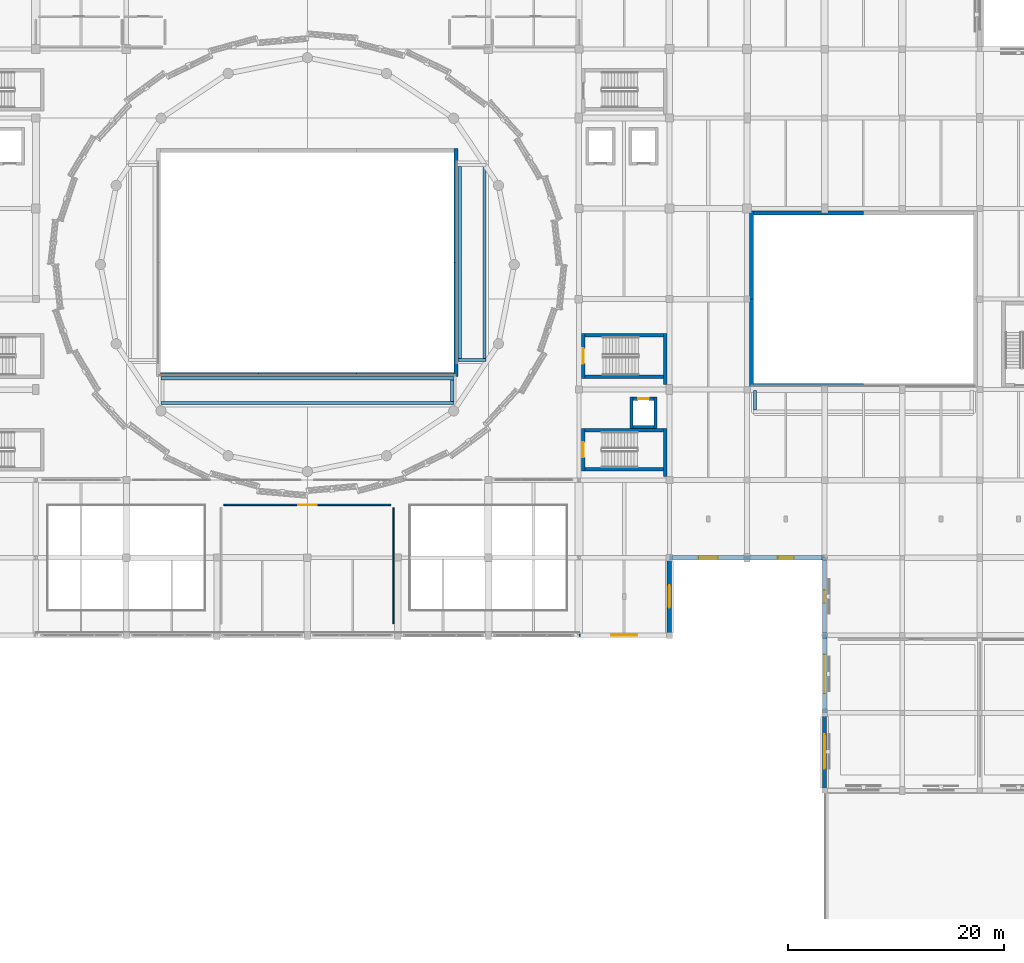
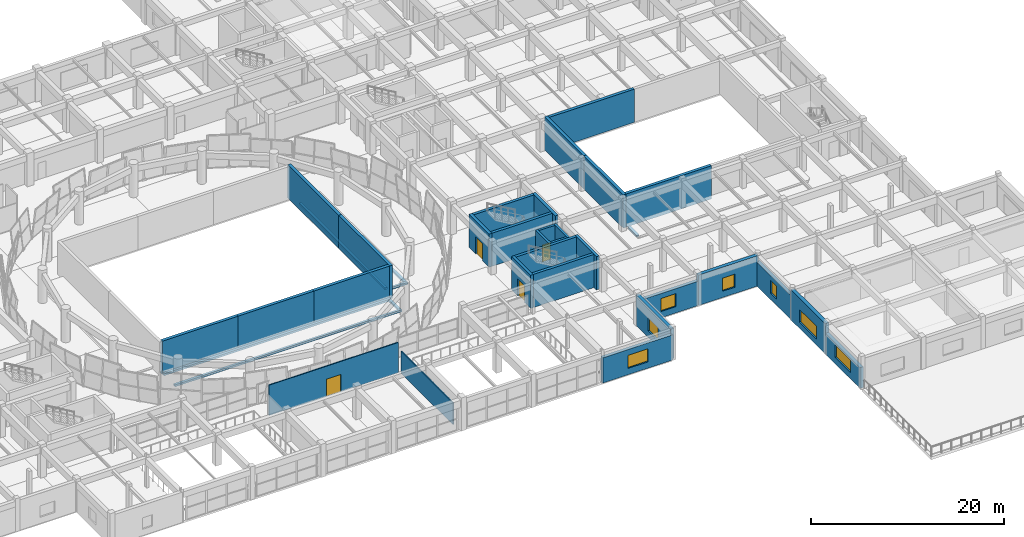
# One storey, part 48 of 71: 37 walls, 7 windows, 4 doors, 11 openings.
"""IFC4 building model written with IfcOpenShell, lengths in metres."""

from ifc_helpers import new_model, si_unit, direction, frame, frame_2d, origin, place, context, subcontext, project, spatial, rectangle, extrude, material, layer, layer_set, type_object, element, fill, save


model = new_model("IFC4")

# Units and contexts
model_context = context("Model", 3, precision=1e-05, world=origin(), true_north=direction((0.0, 1.0)))
body_context = subcontext(model_context, "Body", "Model", "MODEL_VIEW")
ifc_project = project(units=[si_unit("LENGTHUNIT", "METRE"), si_unit("AREAUNIT", "SQUARE_METRE"), si_unit("VOLUMEUNIT", "CUBIC_METRE"), si_unit("PLANEANGLEUNIT", "RADIAN"), si_unit("MASSUNIT", "GRAM", prefix="KILO")], contexts=[model_context])

# Site, building, storey
site_placement = place(None, origin())
site = spatial("IfcSite", under=ifc_project, at=site_placement, CompositionType="ELEMENT")
building_placement = place(site_placement, origin())
building = spatial("IfcBuilding", under=site, at=building_placement, Name="Korsvaeld Concert Hall", CompositionType="ELEMENT")
storey_placement = place(building_placement, frame((0.0, 0.0, 4.800048828125)))
storey = spatial("IfcBuildingStorey", under=building, at=storey_placement, Name="L01", CompositionType="ELEMENT", Elevation=4.800048828125)

# Walls
ifc_material_1 = material(Name="Concrete C40/50", Category="concrete")
ifc_layer_1 = layer(ifc_material_1, 0.340087890625)
ifc_layer_set_1 = layer_set([ifc_layer_1], Name="Concrete C40/50")
wall_type_1 = type_object("IfcWallType", Name="WL-CORE-340", PredefinedType="SHEAR", material=ifc_layer_set_1)
wall_1_placement = place(storey_placement, frame((109.77001953125, 44.199951171875, 0.0), z_axis=(0.0, 0.0, 1.0), x_axis=(1.0, 0.0, 0.0)))
element("IfcWall", 1, at=wall_1_placement, inside=storey, type_object=wall_type_1, Name="Core K4 shear wall L01 S", PredefinedType="SHEAR", context=body_context, shape_type="SweptSolid", body=[
    extrude(rectangle(XDim=7.260009765625, YDim=0.340087890625, at=frame_2d((3.6298828125, 0.0))), origin(), (0.0, 0.0, 1.0), 4.199951171875),
])
wall_2_placement = place(storey_placement, frame((117.199951171875, 43.52490234375, 0.0), z_axis=(0.0, 0.0, 1.0), x_axis=(0.0, 1.0, 0.0)))
element("IfcWall", 2, at=wall_2_placement, inside=storey, type_object=wall_type_1, Name="Core K4 shear wall L01 E", PredefinedType="SHEAR", context=body_context, shape_type="SweptSolid", body=[
    extrude(rectangle(XDim=4.485107421875, YDim=0.340087890625, at=frame_2d((2.24267578125, 0.0))), origin(), (0.0, 0.0, 1.0), 4.199951171875),
])
wall_3_placement = place(storey_placement, frame((117.030029296875, 47.840087890625, 0.0), z_axis=(0.0, 0.0, 1.0), x_axis=(-1.0, 0.0, 0.0)))
element("IfcWall", 3, at=wall_3_placement, inside=storey, type_object=wall_type_1, Name="Core K4 shear wall L01 N", PredefinedType="SHEAR", context=body_context, shape_type="SweptSolid", body=[
    extrude(rectangle(XDim=7.260009765625, YDim=0.340087890625, at=frame_2d((3.6298828125, 0.0))), origin(), (0.0, 0.0, 1.0), 4.199951171875),
])

# Wall, opening, door
wall_4_placement = place(storey_placement, frame((109.60009765625, 48.010009765625, 0.0), z_axis=(0.0, 0.0, 1.0), x_axis=(0.0, -1.0, 0.0)))
wall_4 = element("IfcWall", 4, at=wall_4_placement, inside=storey, type_object=wall_type_1, Name="Core K4 shear wall L01 W", PredefinedType="SHEAR", context=body_context, shape_type="SweptSolid", body=[
    extrude(rectangle(XDim=3.97998046875, YDim=0.340087890625, at=frame_2d((1.989990234375, 0.0))), origin(), (0.0, 0.0, 1.0), 4.199951171875),
])
opening_1_placement = place(wall_4_placement, frame((1.2900390625, 0.0, 0.0)))
opening_1 = element("IfcOpeningElement", 5, at=opening_1_placement, cuts=wall_4, Name="Opening FD-02", PredefinedType="OPENING", context=body_context, shape_type="SweptSolid", body=[
    extrude(rectangle(XDim=1.39990234375, YDim=2.14990234375, at=frame_2d((0.699951171875, 1.074951171875))), frame((0.0, 0.18017578125, 0.0), z_axis=(0.0, -1.0, 0.0), x_axis=(1.0, 0.0, 0.0)), (0.0, 0.0, 1.0), 0.360107421875),
])
ifc_material_2 = material(Name="Acoustic steel and oak fire door", Category="steel")
door_type_1 = type_object("IfcDoorType", Name="DR-FD-STAIR-140x215", OperationType="NOTDEFINED", PredefinedType="DOOR", material=ifc_material_2)
door_1_placement = place(opening_1_placement, origin())
door_1 = element("IfcDoor", 6, at=door_1_placement, inside=storey, type_object=door_type_1, Name="Escape stair ST-K4 fire door L01", OperationType="SINGLE_SWING_RIGHT", OverallHeight=2.14990234375, OverallWidth=1.39990234375, PredefinedType="DOOR", context=body_context, shape_type="SweptSolid", body=[
    extrude(rectangle(XDim=1.39990234375, YDim=2.14990234375, at=frame_2d((0.699951171875, 1.074951171875))), frame((0.0, 0.02490234375, 0.0), z_axis=(0.0, -1.0, 0.0), x_axis=(1.0, 0.0, 0.0)), (0.0, 0.0, 1.0), 0.050048828125),
])
fill(opening_1, door_1)

# Walls
wall_5_placement = place(storey_placement, frame((109.77001953125, 52.800048828125, 0.0), z_axis=(0.0, 0.0, 1.0), x_axis=(1.0, 0.0, 0.0)))
element("IfcWall", 7, at=wall_5_placement, inside=storey, type_object=wall_type_1, Name="Core F2 shear wall L01 S", PredefinedType="SHEAR", context=body_context, shape_type="SweptSolid", body=[
    extrude(rectangle(XDim=7.260009765625, YDim=0.340087890625, at=frame_2d((3.6298828125, 0.0))), origin(), (0.0, 0.0, 1.0), 4.199951171875),
])
wall_6_placement = place(storey_placement, frame((117.199951171875, 52.050048828125, 0.0), z_axis=(0.0, 0.0, 1.0), x_axis=(0.0, 1.0, 0.0)))
element("IfcWall", 8, at=wall_6_placement, inside=storey, type_object=wall_type_1, Name="Core F2 shear wall L01 E", PredefinedType="SHEAR", context=body_context, shape_type="SweptSolid", body=[
    extrude(rectangle(XDim=4.760009765625, YDim=0.340087890625, at=frame_2d((2.3798828125, 0.0))), origin(), (0.0, 0.0, 1.0), 4.199951171875),
])
wall_7_placement = place(storey_placement, frame((117.030029296875, 56.639892578125, 0.0), z_axis=(0.0, 0.0, 1.0), x_axis=(-1.0, 0.0, 0.0)))
element("IfcWall", 9, at=wall_7_placement, inside=storey, type_object=wall_type_1, Name="Core F2 shear wall L01 N", PredefinedType="SHEAR", context=body_context, shape_type="SweptSolid", body=[
    extrude(rectangle(XDim=7.260009765625, YDim=0.340087890625, at=frame_2d((3.6298828125, 0.0))), origin(), (0.0, 0.0, 1.0), 4.199951171875),
])

# Wall, opening, door
wall_8_placement = place(storey_placement, frame((109.60009765625, 56.81005859375, 0.0), z_axis=(0.0, 0.0, 1.0), x_axis=(0.0, -1.0, 0.0)))
wall_8 = element("IfcWall", 10, at=wall_8_placement, inside=storey, type_object=wall_type_1, Name="Core F2 shear wall L01 W", PredefinedType="SHEAR", context=body_context, shape_type="SweptSolid", body=[
    extrude(rectangle(XDim=4.18017578125, YDim=0.340087890625, at=frame_2d((2.090087890625, 0.0))), origin(), (0.0, 0.0, 1.0), 4.199951171875),
])
opening_2_placement = place(wall_8_placement, frame((1.389892578125, 0.0, 0.0)))
opening_2 = element("IfcOpeningElement", 11, at=opening_2_placement, cuts=wall_8, Name="Opening FD-02", PredefinedType="OPENING", context=body_context, shape_type="SweptSolid", body=[
    extrude(rectangle(XDim=1.39990234375, YDim=2.14990234375, at=frame_2d((0.699951171875, 1.074951171875))), frame((0.0, 0.18017578125, 0.0), z_axis=(0.0, -1.0, 0.0), x_axis=(1.0, 0.0, 0.0)), (0.0, 0.0, 1.0), 0.360107421875),
])
door_2_placement = place(opening_2_placement, origin())
door_2 = element("IfcDoor", 12, at=door_2_placement, inside=storey, type_object=door_type_1, Name="Escape stair ST-F2 fire door L01", OperationType="SINGLE_SWING_LEFT", OverallHeight=2.14990234375, OverallWidth=1.39990234375, PredefinedType="DOOR", context=body_context, shape_type="SweptSolid", body=[
    extrude(rectangle(XDim=1.39990234375, YDim=2.14990234375, at=frame_2d((0.699951171875, 1.074951171875))), frame((0.0, 0.02490234375, 0.0), z_axis=(0.0, -1.0, 0.0), x_axis=(1.0, 0.0, 0.0)), (0.0, 0.0, 1.0), 0.050048828125),
])
fill(opening_2, door_2)

# Wall, opening, window
ifc_material_3 = material(Name="Obernkirchener buff sandstone rainscreen on Concrete C35/45", Category="masonry")
ifc_layer_2 = layer(ifc_material_3, 0.389892578125)
ifc_layer_set_2 = layer_set([ifc_layer_2], Name="Obernkirchener buff sandstone rainscreen on Concrete C35/45")
wall_type_2 = type_object("IfcWallType", Name="WL-EXT-BUFF-390", PredefinedType="STANDARD", material=ifc_layer_set_2)
wall_9_placement = place(storey_placement, frame((132.0, 14.39990234375, 0.0), z_axis=(0.0, 0.0, 1.0), x_axis=(0.0, 1.0, 0.0)))
wall_9 = element("IfcWall", 13, at=wall_9_placement, inside=storey, type_object=wall_type_2, Name="Exterior sandstone wall L01-191", PredefinedType="STANDARD", context=body_context, shape_type="SweptSolid", body=[
    extrude(rectangle(XDim=7.2001953125, YDim=0.389892578125, at=frame_2d((3.60009765625, 0.0))), origin(), (0.0, 0.0, 1.0), 2.639892578125),
])
opening_3_placement = place(wall_9_placement, frame((2.0, 0.0, 0.800048828125)))
opening_3 = element("IfcOpeningElement", 14, at=opening_3_placement, cuts=wall_9, Name="Opening WN-15", PredefinedType="OPENING", context=body_context, shape_type="SweptSolid", body=[
    extrude(rectangle(XDim=3.199951171875, YDim=1.60009765625, at=frame_2d((1.60009765625, 0.800048828125))), frame((0.0, 0.205078125, 0.0), z_axis=(0.0, -1.0, 0.0), x_axis=(1.0, 0.0, 0.0)), (0.0, 0.0, 1.0), 0.409912109375),
])
ifc_material_4 = material(Name="Anodised bronze frame with acoustic triple glazing", Category="glass")
window_type_1 = type_object("IfcWindowType", Name="WIN-AC-320x160", PartitioningType="TRIPLE_PANEL_VERTICAL", PredefinedType="WINDOW", material=ifc_material_4)
window_1_placement = place(opening_3_placement, origin())
window_1 = element("IfcWindow", 15, at=window_1_placement, inside=storey, type_object=window_type_1, Name="Acoustic triple-glazed window L01-099", OverallHeight=1.60009765625, OverallWidth=3.199951171875, PartitioningType="TRIPLE_PANEL_VERTICAL", PredefinedType="WINDOW", context=body_context, shape_type="SweptSolid", body=[
    extrude(rectangle(XDim=3.199951171875, YDim=1.60009765625, at=frame_2d((1.60009765625, 0.800048828125))), frame((0.0, 0.030029296875, 0.0), z_axis=(0.0, -1.0, 0.0), x_axis=(1.0, 0.0, 0.0)), (0.0, 0.0, 1.0), 0.06005859375),
])
fill(opening_3, window_1)

wall_10_placement = place(storey_placement, frame((132.0, 28.800048828125, 0.0), z_axis=(0.0, 0.0, 1.0), x_axis=(0.0, 1.0, 0.0)))
wall_10 = element("IfcWall", 16, at=wall_10_placement, inside=storey, type_object=wall_type_2, Name="Exterior sandstone wall L01-193", PredefinedType="STANDARD", context=body_context, shape_type="SweptSolid", body=[
    extrude(rectangle(XDim=7.199951171875, YDim=0.389892578125, at=frame_2d((3.60009765625, 0.0))), origin(), (0.0, 0.0, 1.0), 3.0400390625),
])
opening_4_placement = place(wall_10_placement, frame((3.0, 0.0, 0.800048828125)))
opening_4 = element("IfcOpeningElement", 17, at=opening_4_placement, cuts=wall_10, Name="Opening WN-01", PredefinedType="OPENING", context=body_context, shape_type="SweptSolid", body=[
    extrude(rectangle(XDim=1.199951171875, YDim=1.64990234375, at=frame_2d((0.60009765625, 0.824951171875))), frame((0.0, 0.205078125, 0.0), z_axis=(0.0, -1.0, 0.0), x_axis=(1.0, 0.0, 0.0)), (0.0, 0.0, 1.0), 0.409912109375),
])
window_type_2 = type_object("IfcWindowType", Name="WIN-AC-120x165", PartitioningType="SINGLE_PANEL", PredefinedType="WINDOW", material=ifc_material_4)
window_2_placement = place(opening_4_placement, origin())
window_2 = element("IfcWindow", 18, at=window_2_placement, inside=storey, type_object=window_type_2, Name="Acoustic triple-glazed window L01-101", OverallHeight=1.64990234375, OverallWidth=1.199951171875, PartitioningType="SINGLE_PANEL", PredefinedType="WINDOW", context=body_context, shape_type="SweptSolid", body=[
    extrude(rectangle(XDim=1.199951171875, YDim=1.64990234375, at=frame_2d((0.60009765625, 0.824951171875))), frame((0.0, 0.030029296875, 0.0), z_axis=(0.0, -1.0, 0.0), x_axis=(1.0, 0.0, 0.0)), (0.0, 0.0, 1.0), 0.06005859375),
])
fill(opening_4, window_2)

wall_11_placement = place(storey_placement, frame((124.800048828125, 36.0, 0.0), z_axis=(0.0, 0.0, 1.0), x_axis=(-1.0, 0.0, 0.0)))
wall_11 = element("IfcWall", 19, at=wall_11_placement, inside=storey, type_object=wall_type_2, Name="Exterior sandstone wall L01-195", PredefinedType="STANDARD", context=body_context, shape_type="SweptSolid", body=[
    extrude(rectangle(XDim=7.199951171875, YDim=0.389892578125, at=frame_2d((3.60009765625, 0.0))), origin(), (0.0, 0.0, 1.0), 3.08984375),
])
opening_5_placement = place(wall_11_placement, frame((2.699951171875, 0.0, 0.800048828125)))
opening_5 = element("IfcOpeningElement", 20, at=opening_5_placement, cuts=wall_11, Name="Opening WN-03", PredefinedType="OPENING", context=body_context, shape_type="SweptSolid", body=[
    extrude(rectangle(XDim=1.800048828125, YDim=1.64990234375, at=frame_2d((0.89990234375, 0.824951171875))), frame((0.0, 0.205078125, 0.0), z_axis=(0.0, -1.0, 0.0), x_axis=(1.0, 0.0, 0.0)), (0.0, 0.0, 1.0), 0.409912109375),
])
window_type_3 = type_object("IfcWindowType", Name="WIN-AC-180x165", PartitioningType="SINGLE_PANEL", PredefinedType="WINDOW", material=ifc_material_4)
window_3_placement = place(opening_5_placement, origin())
window_3 = element("IfcWindow", 21, at=window_3_placement, inside=storey, type_object=window_type_3, Name="Acoustic triple-glazed window L01-103", OverallHeight=1.64990234375, OverallWidth=1.800048828125, PartitioningType="SINGLE_PANEL", PredefinedType="WINDOW", context=body_context, shape_type="SweptSolid", body=[
    extrude(rectangle(XDim=1.800048828125, YDim=1.64990234375, at=frame_2d((0.89990234375, 0.824951171875))), frame((0.0, 0.030029296875, 0.0), z_axis=(0.0, -1.0, 0.0), x_axis=(1.0, 0.0, 0.0)), (0.0, 0.0, 1.0), 0.06005859375),
])
fill(opening_5, window_3)

wall_12_placement = place(storey_placement, frame((117.60009765625, 28.800048828125, 0.0), z_axis=(0.0, 0.0, 1.0), x_axis=(-1.0, 0.0, 0.0)))
wall_12 = element("IfcWall", 22, at=wall_12_placement, inside=storey, type_object=wall_type_2, Name="Exterior sandstone wall L01-197", PredefinedType="STANDARD", context=body_context, shape_type="SweptSolid", body=[
    extrude(rectangle(XDim=8.400146484375, YDim=0.389892578125, at=frame_2d((4.2001953125, 0.0))), origin(), (0.0, 0.0, 1.0), 3.18994140625),
])
opening_6_placement = place(wall_12_placement, frame((3.0, 0.0, 0.800048828125)))
opening_6 = element("IfcOpeningElement", 23, at=opening_6_placement, cuts=wall_12, Name="Opening WN-05", PredefinedType="OPENING", context=body_context, shape_type="SweptSolid", body=[
    extrude(rectangle(XDim=2.39990234375, YDim=1.64990234375, at=frame_2d((1.199951171875, 0.824951171875))), frame((0.0, 0.205078125, 0.0), z_axis=(0.0, -1.0, 0.0), x_axis=(1.0, 0.0, 0.0)), (0.0, 0.0, 1.0), 0.409912109375),
])
window_type_4 = type_object("IfcWindowType", Name="WIN-AC-240x165", PartitioningType="TRIPLE_PANEL_VERTICAL", PredefinedType="WINDOW", material=ifc_material_4)
window_4_placement = place(opening_6_placement, origin())
window_4 = element("IfcWindow", 24, at=window_4_placement, inside=storey, type_object=window_type_4, Name="Acoustic triple-glazed window L01-105", OverallHeight=1.64990234375, OverallWidth=2.39990234375, PartitioningType="TRIPLE_PANEL_VERTICAL", PredefinedType="WINDOW", context=body_context, shape_type="SweptSolid", body=[
    extrude(rectangle(XDim=2.39990234375, YDim=1.64990234375, at=frame_2d((1.199951171875, 0.824951171875))), frame((0.0, 0.030029296875, 0.0), z_axis=(0.0, -1.0, 0.0), x_axis=(1.0, 0.0, 0.0)), (0.0, 0.0, 1.0), 0.06005859375),
])
fill(opening_6, window_4)

ifc_material_5 = material(Name="Bornholm Nexo rose-red sandstone rainscreen on Concrete C35/45", Category="masonry")
ifc_layer_3 = layer(ifc_material_5, 0.419921875)
ifc_layer_set_3 = layer_set([ifc_layer_3], Name="Bornholm Nexo rose-red sandstone rainscreen on Concrete C35/45")
wall_type_3 = type_object("IfcWallType", Name="WL-EXT-NEXO-420", PredefinedType="STANDARD", material=ifc_layer_set_3)
wall_13_placement = place(storey_placement, frame((132.0, 21.60009765625, 0.0), z_axis=(0.0, 0.0, 1.0), x_axis=(0.0, 1.0, 0.0)))
wall_13 = element("IfcWall", 25, at=wall_13_placement, inside=storey, type_object=wall_type_3, Name="Exterior sandstone wall L01-192", PredefinedType="STANDARD", context=body_context, shape_type="SweptSolid", body=[
    extrude(rectangle(XDim=7.199951171875, YDim=0.419921875, at=frame_2d((3.60009765625, 0.0))), origin(), (0.0, 0.0, 1.0), 3.83984375),
])
opening_7_placement = place(wall_13_placement, frame((1.800048828125, 0.0, 0.800048828125)))
opening_7 = element("IfcOpeningElement", 26, at=opening_7_placement, cuts=wall_13, Name="Opening WN-16", PredefinedType="OPENING", context=body_context, shape_type="SweptSolid", body=[
    extrude(rectangle(XDim=3.60009765625, YDim=1.60009765625, at=frame_2d((1.800048828125, 0.800048828125))), frame((0.0, 0.219970703125, 0.0), z_axis=(0.0, -1.0, 0.0), x_axis=(1.0, 0.0, 0.0)), (0.0, 0.0, 1.0), 0.43994140625),
])
window_type_5 = type_object("IfcWindowType", Name="WIN-AC-360x160", PartitioningType="TRIPLE_PANEL_VERTICAL", PredefinedType="WINDOW", material=ifc_material_4)
window_5_placement = place(opening_7_placement, origin())
window_5 = element("IfcWindow", 27, at=window_5_placement, inside=storey, type_object=window_type_5, Name="Acoustic triple-glazed window L01-100", OverallHeight=1.60009765625, OverallWidth=3.60009765625, PartitioningType="TRIPLE_PANEL_VERTICAL", PredefinedType="WINDOW", context=body_context, shape_type="SweptSolid", body=[
    extrude(rectangle(XDim=3.60009765625, YDim=1.60009765625, at=frame_2d((1.800048828125, 0.800048828125))), frame((0.0, 0.030029296875, 0.0), z_axis=(0.0, -1.0, 0.0), x_axis=(1.0, 0.0, 0.0)), (0.0, 0.0, 1.0), 0.06005859375),
])
fill(opening_7, window_5)

wall_14_placement = place(storey_placement, frame((132.0, 36.0, 0.0), z_axis=(0.0, 0.0, 1.0), x_axis=(-1.0, 0.0, 0.0)))
wall_14 = element("IfcWall", 28, at=wall_14_placement, inside=storey, type_object=wall_type_3, Name="Exterior sandstone wall L01-194", PredefinedType="STANDARD", context=body_context, shape_type="SweptSolid", body=[
    extrude(rectangle(XDim=7.199951171875, YDim=0.419921875, at=frame_2d((3.60009765625, 0.0))), origin(), (0.0, 0.0, 1.0), 3.83984375),
])
opening_8_placement = place(wall_14_placement, frame((2.85009765625, 0.0, 0.800048828125)))
opening_8 = element("IfcOpeningElement", 29, at=opening_8_placement, cuts=wall_14, Name="Opening WN-02", PredefinedType="OPENING", context=body_context, shape_type="SweptSolid", body=[
    extrude(rectangle(XDim=1.5, YDim=1.64990234375, at=frame_2d((0.75, 0.824951171875))), frame((0.0, 0.219970703125, 0.0), z_axis=(0.0, -1.0, 0.0), x_axis=(1.0, 0.0, 0.0)), (0.0, 0.0, 1.0), 0.43994140625),
])
window_type_6 = type_object("IfcWindowType", Name="WIN-AC-150x165", PartitioningType="SINGLE_PANEL", PredefinedType="WINDOW", material=ifc_material_4)
window_6_placement = place(opening_8_placement, origin())
window_6 = element("IfcWindow", 30, at=window_6_placement, inside=storey, type_object=window_type_6, Name="Acoustic triple-glazed window L01-102", OverallHeight=1.64990234375, OverallWidth=1.5, PartitioningType="SINGLE_PANEL", PredefinedType="WINDOW", context=body_context, shape_type="SweptSolid", body=[
    extrude(rectangle(XDim=1.5, YDim=1.64990234375, at=frame_2d((0.75, 0.824951171875))), frame((0.0, 0.030029296875, 0.0), z_axis=(0.0, -1.0, 0.0), x_axis=(1.0, 0.0, 0.0)), (0.0, 0.0, 1.0), 0.06005859375),
])
fill(opening_8, window_6)

wall_15_placement = place(storey_placement, frame((117.60009765625, 36.0, 0.0), z_axis=(0.0, 0.0, 1.0), x_axis=(0.0, -1.0, 0.0)))
wall_15 = element("IfcWall", 31, at=wall_15_placement, inside=storey, type_object=wall_type_3, Name="Exterior sandstone wall L01-196", PredefinedType="STANDARD", context=body_context, shape_type="SweptSolid", body=[
    extrude(rectangle(XDim=7.199951171875, YDim=0.419921875, at=frame_2d((3.60009765625, 0.0))), origin(), (0.0, 0.0, 1.0), 3.83984375),
])
opening_9_placement = place(wall_15_placement, frame((2.550048828125, 0.0, 0.800048828125)))
opening_9 = element("IfcOpeningElement", 32, at=opening_9_placement, cuts=wall_15, Name="Opening WN-04", PredefinedType="OPENING", context=body_context, shape_type="SweptSolid", body=[
    extrude(rectangle(XDim=2.10009765625, YDim=1.64990234375, at=frame_2d((1.050048828125, 0.824951171875))), frame((0.0, 0.219970703125, 0.0), z_axis=(0.0, -1.0, 0.0), x_axis=(1.0, 0.0, 0.0)), (0.0, 0.0, 1.0), 0.43994140625),
])
window_type_7 = type_object("IfcWindowType", Name="WIN-AC-210x165", PartitioningType="SINGLE_PANEL", PredefinedType="WINDOW", material=ifc_material_4)
window_7_placement = place(opening_9_placement, origin())
window_7 = element("IfcWindow", 33, at=window_7_placement, inside=storey, type_object=window_type_7, Name="Acoustic triple-glazed window L01-104", OverallHeight=1.64990234375, OverallWidth=2.10009765625, PartitioningType="SINGLE_PANEL", PredefinedType="WINDOW", context=body_context, shape_type="SweptSolid", body=[
    extrude(rectangle(XDim=2.10009765625, YDim=1.64990234375, at=frame_2d((1.050048828125, 0.824951171875))), frame((0.0, 0.030029296875, 0.0), z_axis=(0.0, -1.0, 0.0), x_axis=(1.0, 0.0, 0.0)), (0.0, 0.0, 1.0), 0.06005859375),
])
fill(opening_9, window_7)

# Walls
ifc_material_6 = material(Name="Bornholm Nexo crimson sandstone on Concrete C40/50", Category="masonry")
ifc_layer_4 = layer(ifc_material_6, 0.360107421875)
ifc_layer_set_4 = layer_set([ifc_layer_4], Name="Bornholm Nexo crimson sandstone on Concrete C40/50")
wall_type_4 = type_object("IfcWallType", Name="WL-HALL-360", PredefinedType="SHEAR", material=ifc_layer_set_4)
for number, where, z_axis, x_axis, name in (
    (34, (70.3798828125, 53.0, 0.0), (0.0, 0.0, 1.0), (1.0, 0.0, 0.0), "Acoustic hall box wall V1H L01 S.1"),
    (35, (79.4599609375, 53.0, 0.0), (0.0, 0.0, 1.0), (1.0, 0.0, 0.0), "Acoustic hall box wall V1H L01 S.2"),
    (36, (88.5400390625, 53.0, 0.0), (0.0, 0.0, 1.0), (1.0, 0.0, 0.0), "Acoustic hall box wall V1H L01 S.3"),
):
    element("IfcWall", number, at=place(storey_placement, frame(where, z_axis=z_axis, x_axis=x_axis)), inside=storey, type_object=wall_type_4, Name=name, PredefinedType="SHEAR", context=body_context, shape_type="SweptSolid", body=[
        extrude(rectangle(XDim=9.080078125, YDim=0.360107421875, at=frame_2d((4.5400390625, 0.0))), origin(), (0.0, 0.0, 1.0), 4.199951171875),
    ])
wall_16_placement = place(storey_placement, frame((97.800048828125, 52.820068359375, 0.0), z_axis=(0.0, 0.0, 1.0), x_axis=(0.0, 1.0, 0.0)))
element("IfcWall", 37, at=wall_16_placement, inside=storey, type_object=wall_type_4, Name="Acoustic hall box wall V1H L01 E.1", PredefinedType="SHEAR", context=body_context, shape_type="SweptSolid", body=[
    extrude(rectangle(XDim=10.579833984375, YDim=0.360107421875, at=frame_2d((5.2900390625, 0.0))), origin(), (0.0, 0.0, 1.0), 4.199951171875),
])
wall_17_placement = place(storey_placement, frame((97.800048828125, 63.39990234375, 0.0), z_axis=(0.0, 0.0, 1.0), x_axis=(0.0, 1.0, 0.0)))
element("IfcWall", 38, at=wall_17_placement, inside=storey, type_object=wall_type_4, Name="Acoustic hall box wall V1H L01 E.2", PredefinedType="SHEAR", context=body_context, shape_type="SweptSolid", body=[
    extrude(rectangle(XDim=10.580078125, YDim=0.360107421875, at=frame_2d((5.2900390625, 0.0))), origin(), (0.0, 0.0, 1.0), 4.199951171875),
])
for number, where, z_axis, x_axis, name in (
    (39, (125.3798828125, 52.0, 0.0), (0.0, 0.0, 1.0), (1.0, 0.0, 0.0), "Acoustic hall box wall V2H L01 S.1"),
    (40, (135.60009765625, 68.0, 0.0), (0.0, 0.0, 1.0), (-1.0, 0.0, 0.0), "Acoustic hall box wall V2H L01 N.2"),
):
    element("IfcWall", number, at=place(storey_placement, frame(where, z_axis=z_axis, x_axis=x_axis)), inside=storey, type_object=wall_type_4, Name=name, PredefinedType="SHEAR", context=body_context, shape_type="SweptSolid", body=[
        extrude(rectangle(XDim=10.22021484375, YDim=0.360107421875, at=frame_2d((5.110107421875, 0.0))), origin(), (0.0, 0.0, 1.0), 4.199951171875),
    ])
for number, where, z_axis, x_axis, name in (
    (41, (125.199951171875, 68.179931640625, 0.0), (0.0, 0.0, 1.0), (0.0, -1.0, 0.0), "Acoustic hall box wall V2H L01 W.1"),
    (42, (125.199951171875, 60.0, 0.0), (0.0, 0.0, 1.0), (0.0, -1.0, 0.0), "Acoustic hall box wall V2H L01 W.2"),
):
    element("IfcWall", number, at=place(storey_placement, frame(where, z_axis=z_axis, x_axis=x_axis)), inside=storey, type_object=wall_type_4, Name=name, PredefinedType="SHEAR", context=body_context, shape_type="SweptSolid", body=[
        extrude(rectangle(XDim=8.179931640625, YDim=0.360107421875, at=frame_2d((4.08984375, 0.0))), origin(), (0.0, 0.0, 1.0), 4.199951171875),
    ])
ifc_material_7 = material(Name="Insulated acoustic gypsum partition")
ifc_layer_5 = layer(ifc_material_7, 0.125)
ifc_layer_set_5 = layer_set([ifc_layer_5], Name="Insulated acoustic gypsum partition")
wall_type_5 = type_object("IfcWallType", Name="WL-PART-125", PredefinedType="PARTITIONING", material=ifc_layer_set_5)
wall_18_placement = place(storey_placement, frame((92.0, 29.860107421875, 0.0), z_axis=(0.0, 0.0, 1.0), x_axis=(0.0, 1.0, 0.0)))
element("IfcWall", 43, at=wall_18_placement, inside=storey, type_object=wall_type_5, Name="Interior partition L01-04 E", PredefinedType="PARTITIONING", context=body_context, shape_type="SweptSolid", body=[
    extrude(rectangle(XDim=10.77978515625, YDim=0.125, at=frame_2d((5.389892578125, 0.0))), origin(), (0.0, 0.0, 1.0), 2.764892578125),
])

# Wall, opening, door
wall_19_placement = place(storey_placement, frame((91.739990234375, 40.89990234375, 0.0), z_axis=(0.0, 0.0, 1.0), x_axis=(-1.0, 0.0, 0.0)))
wall_19 = element("IfcWall", 44, at=wall_19_placement, inside=storey, type_object=wall_type_5, Name="Interior partition L01-04 N", PredefinedType="PARTITIONING", context=body_context, shape_type="SweptSolid", body=[
    extrude(rectangle(XDim=15.47998046875, YDim=0.125, at=frame_2d((7.739990234375, 0.0))), origin(), (0.0, 0.0, 1.0), 3.83984375),
])
opening_10_placement = place(wall_19_placement, frame((6.889892578125, 0.0, 0.0)))
opening_10 = element("IfcOpeningElement", 45, at=opening_10_placement, cuts=wall_19, Name="Opening ID-06", PredefinedType="OPENING", context=body_context, shape_type="SweptSolid", body=[
    extrude(rectangle(XDim=1.699951171875, YDim=2.199951171875, at=frame_2d((0.85009765625, 1.10009765625))), frame((0.0, 0.072509765625, 0.0), z_axis=(0.0, -1.0, 0.0), x_axis=(1.0, 0.0, 0.0)), (0.0, 0.0, 1.0), 0.14501953125),
])
ifc_material_8 = material(Name="Glazed oak foyer double door")
door_type_2 = type_object("IfcDoorType", Name="DR-INT-DBL-170x220", OperationType="DOUBLE_DOOR_SINGLE_SWING", PredefinedType="DOOR", material=ifc_material_8)
door_3_placement = place(opening_10_placement, origin())
door_3 = element("IfcDoor", 46, at=door_3_placement, inside=storey, type_object=door_type_2, Name="Wintergarden Mezzanine Interval Bar door L01-04", OperationType="DOUBLE_DOOR_SINGLE_SWING", OverallHeight=2.199951171875, OverallWidth=1.699951171875, PredefinedType="DOOR", context=body_context, shape_type="SweptSolid", body=[
    extrude(rectangle(XDim=1.699951171875, YDim=2.199951171875, at=frame_2d((0.85009765625, 1.10009765625))), frame((0.0, 0.02490234375, 0.0), z_axis=(0.0, -1.0, 0.0), x_axis=(1.0, 0.0, 0.0)), (0.0, 0.0, 1.0), 0.050048828125),
])
fill(opening_10, door_3)

# Walls
ifc_layer_6 = layer(ifc_material_1, 0.280029296875)
ifc_layer_set_6 = layer_set([ifc_layer_6], Name="Concrete C40/50")
wall_type_6 = type_object("IfcWallType", Name="WL-SHAFT-280", PredefinedType="SHEAR", material=ifc_layer_set_6)
wall_20_placement = place(storey_placement, frame((114.239990234375, 48.14990234375, 0.0), z_axis=(0.0, 0.0, 1.0), x_axis=(1.0, 0.0, 0.0)))
element("IfcWall", 47, at=wall_20_placement, inside=storey, type_object=wall_type_6, Name="Lift LP-06 shaft wall L01 S", PredefinedType="SHEAR", context=body_context, shape_type="SweptSolid", body=[
    extrude(rectangle(XDim=1.919921875, YDim=0.280029296875, at=frame_2d((0.9599609375, 0.0))), origin(), (0.0, 0.0, 1.0), 4.199951171875),
])
wall_21_placement = place(storey_placement, frame((116.300048828125, 48.010009765625, 0.0), z_axis=(0.0, 0.0, 1.0), x_axis=(0.0, 1.0, 0.0)))
element("IfcWall", 48, at=wall_21_placement, inside=storey, type_object=wall_type_6, Name="Lift LP-06 shaft wall L01 E", PredefinedType="SHEAR", context=body_context, shape_type="SweptSolid", body=[
    extrude(rectangle(XDim=2.8798828125, YDim=0.280029296875, at=frame_2d((1.43994140625, 0.0))), origin(), (0.0, 0.0, 1.0), 4.199951171875),
])

# Wall, opening, door
wall_22_placement = place(storey_placement, frame((116.159912109375, 50.75, 0.0), z_axis=(0.0, 0.0, 1.0), x_axis=(-1.0, 0.0, 0.0)))
wall_22 = element("IfcWall", 49, at=wall_22_placement, inside=storey, type_object=wall_type_6, Name="Lift LP-06 shaft wall L01 N", PredefinedType="SHEAR", context=body_context, shape_type="SweptSolid", body=[
    extrude(rectangle(XDim=1.919921875, YDim=0.280029296875, at=frame_2d((0.9599609375, 0.0))), origin(), (0.0, 0.0, 1.0), 4.199951171875),
])
opening_11_placement = place(wall_22_placement, frame((0.4599609375, 0.0, 0.0)))
opening_11 = element("IfcOpeningElement", 50, at=opening_11_placement, cuts=wall_22, Name="Opening LD-02", PredefinedType="OPENING", context=body_context, shape_type="SweptSolid", body=[
    extrude(rectangle(XDim=1.0, YDim=2.14990234375, at=frame_2d((0.5, 1.074951171875))), frame((0.0, 0.14990234375, 0.0), z_axis=(0.0, -1.0, 0.0), x_axis=(1.0, 0.0, 0.0)), (0.0, 0.0, 1.0), 0.300048828125),
])
ifc_material_9 = material(Name="Brushed bronze-stainless sliding lift landing door")
door_type_3 = type_object("IfcDoorType", Name="DR-LD-PASS-100x215", OperationType="NOTDEFINED", PredefinedType="DOOR", material=ifc_material_9)
door_4_placement = place(opening_11_placement, origin())
door_4 = element("IfcDoor", 51, at=door_4_placement, inside=storey, type_object=door_type_3, Name="Lift landing door LP-06 L01", OperationType="SLIDING_TO_RIGHT", OverallHeight=2.14990234375, OverallWidth=1.0, PredefinedType="DOOR", context=body_context, shape_type="SweptSolid", body=[
    extrude(rectangle(XDim=1.0, YDim=2.14990234375, at=frame_2d((0.5, 1.074951171875))), frame((0.0, 0.02490234375, 0.0), z_axis=(0.0, -1.0, 0.0), x_axis=(1.0, 0.0, 0.0)), (0.0, 0.0, 1.0), 0.050048828125),
])
fill(opening_11, door_4)

# Walls
wall_23_placement = place(storey_placement, frame((114.10009765625, 50.889892578125, 0.0), z_axis=(0.0, 0.0, 1.0), x_axis=(0.0, -1.0, 0.0)))
element("IfcWall", 52, at=wall_23_placement, inside=storey, type_object=wall_type_6, Name="Lift LP-06 shaft wall L01 W", PredefinedType="SHEAR", context=body_context, shape_type="SweptSolid", body=[
    extrude(rectangle(XDim=2.8798828125, YDim=0.280029296875, at=frame_2d((1.43994140625, 0.0))), origin(), (0.0, 0.0, 1.0), 4.199951171875),
])
ifc_layer_7 = layer(ifc_material_1, 0.300048828125)
ifc_layer_set_7 = layer_set([ifc_layer_7], Name="Concrete C40/50")
wall_type_7 = type_object("IfcWallType", Name="WL-TIER-300", PredefinedType="SHEAR", material=ifc_layer_set_7)
wall_24_placement = place(storey_placement, frame((98.0, 54.35009765625, 0.0), z_axis=(0.0, 0.0, 1.0), x_axis=(1.0, 0.0, 0.0)))
element("IfcWall", 53, at=wall_24_placement, inside=storey, type_object=wall_type_7, Name="Seating tier front riser wall V1-CIRC1-E", PredefinedType="SHEAR", context=body_context, shape_type="SweptSolid", body=[
    extrude(rectangle(XDim=2.60009765625, YDim=0.300048828125, at=frame_2d((1.300048828125, 0.0))), origin(), (0.0, 0.0, 1.0), 0.25),
])
for number, where, z_axis, x_axis, name in (
    (54, (98.14990234375, 54.5, 0.0), (0.0, 0.0, 1.0), (0.0, 1.0, 0.0), "Seating tier west flank wall V1-CIRC1-E"),
    (55, (100.449951171875, 54.5, 0.0), (0.0, 0.0, 1.0), (0.0, 1.0, 0.0), "Seating tier east flank wall V1-CIRC1-E"),
):
    element("IfcWall", number, at=place(storey_placement, frame(where, z_axis=z_axis, x_axis=x_axis)), inside=storey, type_object=wall_type_7, Name=name, PredefinedType="SHEAR", context=body_context, shape_type="SweptSolid", body=[
        extrude(rectangle(XDim=17.800048828125, YDim=0.300048828125, at=frame_2d((8.89990234375, 0.0))), origin(), (0.0, 0.0, 1.0), 0.25),
    ])
for number, where, z_axis, x_axis, name in (
    (56, (70.39990234375, 50.35009765625, 0.0), (0.0, 0.0, 1.0), (1.0, 0.0, 0.0), "Seating tier front riser wall V1-CIRC1-S"),
    (57, (70.39990234375, 52.64990234375, 0.0), (0.0, 0.0, 1.0), (1.0, 0.0, 0.0), "Seating tier back riser wall V1-CIRC1-S"),
):
    element("IfcWall", number, at=place(storey_placement, frame(where, z_axis=z_axis, x_axis=x_axis)), inside=storey, type_object=wall_type_7, Name=name, PredefinedType="SHEAR", context=body_context, shape_type="SweptSolid", body=[
        extrude(rectangle(XDim=27.2001953125, YDim=0.300048828125, at=frame_2d((13.60009765625, 0.0))), origin(), (0.0, 0.0, 1.0), 0.25),
    ])
wall_25_placement = place(storey_placement, frame((97.449951171875, 50.5, 0.0), z_axis=(0.0, 0.0, 1.0), x_axis=(0.0, 1.0, 0.0)))
element("IfcWall", 58, at=wall_25_placement, inside=storey, type_object=wall_type_7, Name="Seating tier east flank wall V1-CIRC1-S", PredefinedType="SHEAR", context=body_context, shape_type="SweptSolid", body=[
    extrude(rectangle(XDim=2.0, YDim=0.300048828125, at=frame_2d((1.0, 0.0))), origin(), (0.0, 0.0, 1.0), 0.25),
])
wall_26_placement = place(storey_placement, frame((125.550048828125, 49.699951171875, 0.0), z_axis=(0.0, 0.0, 1.0), x_axis=(0.0, 1.0, 0.0)))
element("IfcWall", 59, at=wall_26_placement, inside=storey, type_object=wall_type_7, Name="Seating tier west flank wall V2-BALC-S", PredefinedType="SHEAR", context=body_context, shape_type="SweptSolid", body=[
    extrude(rectangle(XDim=1.800048828125, YDim=0.300048828125, at=frame_2d((0.89990234375, 0.0))), origin(), (0.0, 0.0, 1.0), 0.25),
])

save(model, "model.ifc")
